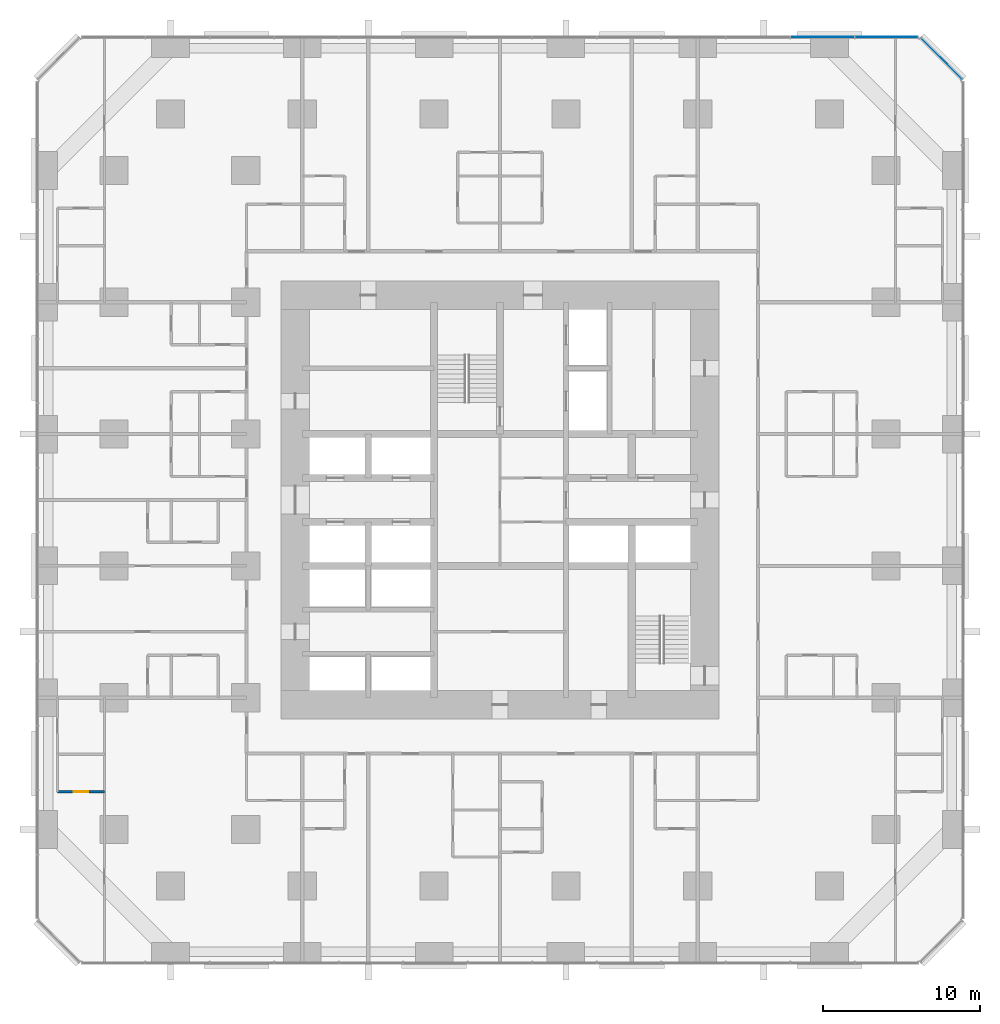
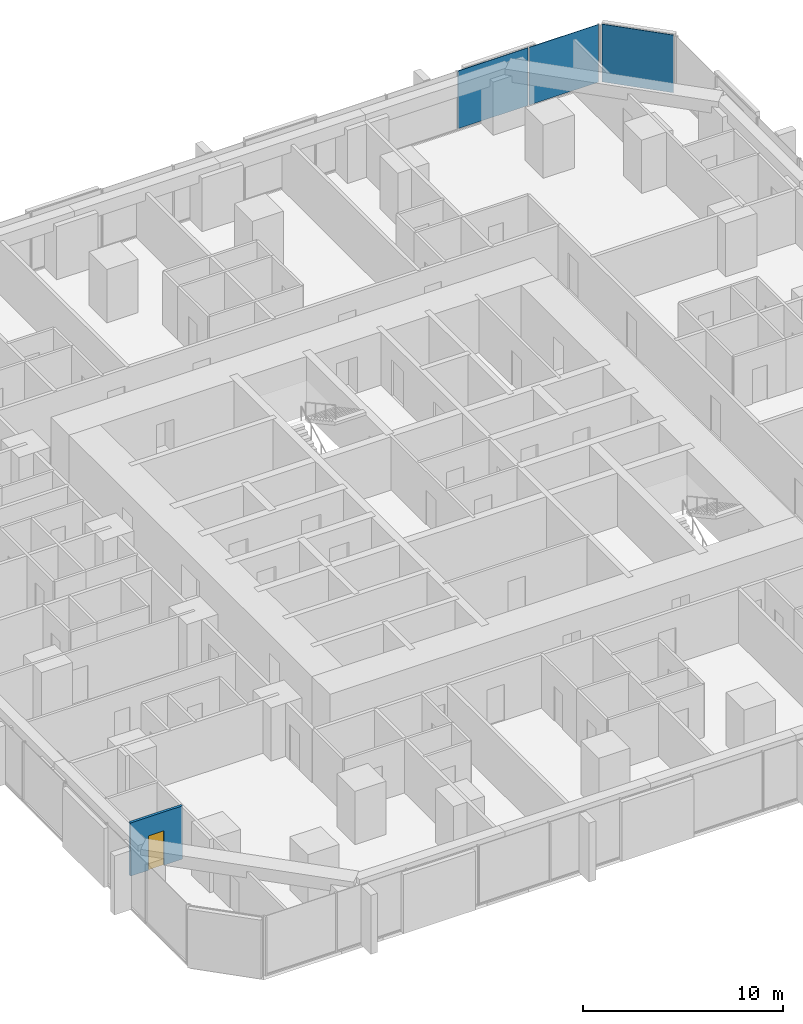
# One storey, part 10 of 17: 3 plates, 1 door, 1 wall, 1 opening, 2 elements without a shape of their own.
"""IFC4 building model written with IfcOpenShell, lengths in metres."""

from ifc_helpers import new_model, si_unit, direction, frame, frame_2d, origin, origin_2d, place, context, subcontext, project, spatial, rectangle, extrude, material, layer, layer_set, type_object, element, fill, aggregate, save


model = new_model("IFC4")

# Units and contexts
model_context = context("Model", 3, precision=1e-05, world=origin(), true_north=direction((0.0, 1.0)))
body_context = subcontext(model_context, "Body", "Model", "MODEL_VIEW")
ifc_project = project(units=[si_unit("LENGTHUNIT", "METRE"), si_unit("AREAUNIT", "SQUARE_METRE"), si_unit("VOLUMEUNIT", "CUBIC_METRE"), si_unit("PLANEANGLEUNIT", "RADIAN"), si_unit("MASSUNIT", "GRAM", prefix="KILO")], contexts=[model_context])

# Site, building, storey
site_placement = place(None, origin())
site = spatial("IfcSite", under=ifc_project, at=site_placement, CompositionType="ELEMENT")
building_placement = place(site_placement, origin())
building = spatial("IfcBuilding", under=site, at=building_placement, Name="Dunama Terrace Hotel", CompositionType="ELEMENT")
storey_placement = place(building_placement, frame((0.0, 0.0, 34.199951171875)))
storey = spatial("IfcBuildingStorey", under=building, at=storey_placement, Name="L07", CompositionType="ELEMENT", Elevation=34.199951171875)

# Curtain wall, plate
ifc_material_1 = material(Name="Aluminium curtain wall system", Category="aluminium")
curtain_wall_type = type_object("IfcCurtainWallType", Name="Unitised fritted glass wall CW-A", PredefinedType="NOTDEFINED", material=ifc_material_1)
curtain_wall_1_placement = place(storey_placement, origin())
curtain_wall_1 = element("IfcCurtainWall", 1, at=curtain_wall_1_placement, inside=storey, type_object=curtain_wall_type, Name="Unitised fritted glass wall CW-A L07", PredefinedType="NOTDEFINED")
ifc_material_2 = material(Name="Laminated glass", Category="glass")
ifc_layer_1 = layer(ifc_material_2, 0.030029296875)
ifc_layer_set_1 = layer_set([ifc_layer_1], Name="CWA clear glass panel")
plate_type_1 = type_object("IfcPlateType", Name="CWA clear glass panel", PredefinedType="CURTAIN_PANEL", material=ifc_layer_set_1)
plate_1_placement = place(storey_placement, frame((57.52099609375, 57.52099609375, 0.0751953125), z_axis=(0.0, 0.0, 1.0), x_axis=(-0.707106781187, 0.707106781187, 0.0)))
plate_1 = element("IfcPlate", 2, at=plate_1_placement, type_object=plate_type_1, Name="CWA clear glass panel", PredefinedType="CURTAIN_PANEL", context=body_context, shape_type="SweptSolid", body=[
    extrude(rectangle(XDim=3.6884765625, YDim=0.030029296875, at=origin_2d()), origin(), (0.0, 0.0, 1.0), 3.52490234375),
])
aggregate(curtain_wall_1, [plate_1])

# Curtain wall, plates
curtain_wall_2_placement = place(storey_placement, origin())
curtain_wall_2 = element("IfcCurtainWall", 3, at=curtain_wall_2_placement, inside=storey, type_object=curtain_wall_type, Name="Unitised fritted glass wall CW-A L07", PredefinedType="NOTDEFINED")
ifc_material_3 = material(Name="Fritted laminated glass", Category="glass")
ifc_layer_2 = layer(ifc_material_3, 0.030029296875)
ifc_layer_set_2 = layer_set([ifc_layer_2], Name="CWA fritted glass panel")
plate_type_2 = type_object("IfcPlateType", Name="CWA fritted glass panel", PredefinedType="CURTAIN_PANEL", material=ifc_layer_set_2)
plate_2_placement = place(storey_placement, frame((49.93798828125, 58.89990234375, 0.0751953125), z_axis=(0.0, 0.0, 1.0), x_axis=(-1.0, 0.0, 0.0)))
plate_2 = element("IfcPlate", 4, at=plate_2_placement, type_object=plate_type_2, Name="CWA fritted glass panel", PredefinedType="CURTAIN_PANEL", context=body_context, shape_type="SweptSolid", body=[
    extrude(rectangle(XDim=4.042724609375, YDim=0.030029296875, at=origin_2d()), origin(), (0.0, 0.0, 1.0), 3.52490234375),
])
ifc_material_4 = material(Name="Laminated glass", Category="glass")
ifc_layer_3 = layer(ifc_material_4, 0.030029296875)
ifc_layer_set_3 = layer_set([ifc_layer_3], Name="CWA operable glass panel")
plate_type_3 = type_object("IfcPlateType", Name="CWA operable glass panel", PredefinedType="CURTAIN_PANEL", material=ifc_layer_set_3)
plate_3_placement = place(storey_placement, frame((54.030029296875, 58.89990234375, 0.0751953125), z_axis=(0.0, 0.0, 1.0), x_axis=(-1.0, 0.0, 0.0)))
plate_3 = element("IfcPlate", 5, at=plate_3_placement, type_object=plate_type_3, Name="CWA operable glass panel", PredefinedType="CURTAIN_PANEL", context=body_context, shape_type="SweptSolid", body=[
    extrude(rectangle(XDim=4.01025390625, YDim=0.030029296875, at=origin_2d()), origin(), (0.0, 0.0, 1.0), 3.52490234375),
])
aggregate(curtain_wall_2, [plate_3, plate_2])

# Wall, opening, door
ifc_material_5 = material(Name="Gypsum board partition", Category="masonry")
ifc_layer_4 = layer(ifc_material_5, 0.14990234375)
ifc_layer_set_4 = layer_set([ifc_layer_4], Name="Room partition 150")
wall_type = type_object("IfcWallType", Name="Room partition 150", PredefinedType="PARTITIONING", material=ifc_layer_set_4)
wall_placement = place(storey_placement, frame((1.199951171875, 10.800048828125, 0.0), z_axis=(0.0, 0.0, 1.0), x_axis=(1.0, 0.0, 0.0)))
wall = element("IfcWall", 6, at=wall_placement, inside=storey, type_object=wall_type, Name="Room partition 150 L07", PredefinedType="PARTITIONING", context=body_context, shape_type="SweptSolid", body=[
    extrude(rectangle(XDim=3.0, YDim=0.14990234375, at=frame_2d((1.5, 0.0))), origin(), (0.0, 0.0, 1.0), 3.25),
])
opening_placement = place(wall_placement, frame((1.050048828125, 0.0, 0.0)))
opening = element("IfcOpeningElement", 7, at=opening_placement, cuts=wall, Name="Opening L07-09-062", PredefinedType="OPENING", context=body_context, shape_type="SweptSolid", body=[
    extrude(rectangle(XDim=0.89990234375, YDim=2.10009765625, at=frame_2d((0.449951171875, 1.050048828125))), frame((0.0, 0.0849609375, 0.0), z_axis=(0.0, -1.0, 0.0), x_axis=(1.0, 0.0, 0.0)), (0.0, 0.0, 1.0), 0.169921875),
])
ifc_material_6 = material(Name="Timber door with steel frame", Category="steel")
door_type = type_object("IfcDoorType", Name="Suite internal door 900", OperationType="SINGLE_SWING_LEFT", PredefinedType="DOOR", material=ifc_material_6)
door_placement = place(opening_placement, origin())
door = element("IfcDoor", 8, at=door_placement, inside=storey, type_object=door_type, Name="Door to dressing room L07-09-062, type D16", OperationType="SINGLE_SWING_LEFT", OverallHeight=2.10009765625, OverallWidth=0.89990234375, PredefinedType="DOOR", context=body_context, shape_type="SweptSolid", body=[
    extrude(rectangle(XDim=0.89990234375, YDim=2.10009765625, at=frame_2d((0.449951171875, 1.050048828125))), frame((0.0, 0.02490234375, 0.0), z_axis=(0.0, -1.0, 0.0), x_axis=(1.0, 0.0, 0.0)), (0.0, 0.0, 1.0), 0.050048828125),
])
fill(opening, door)

save(model, "model.ifc")
